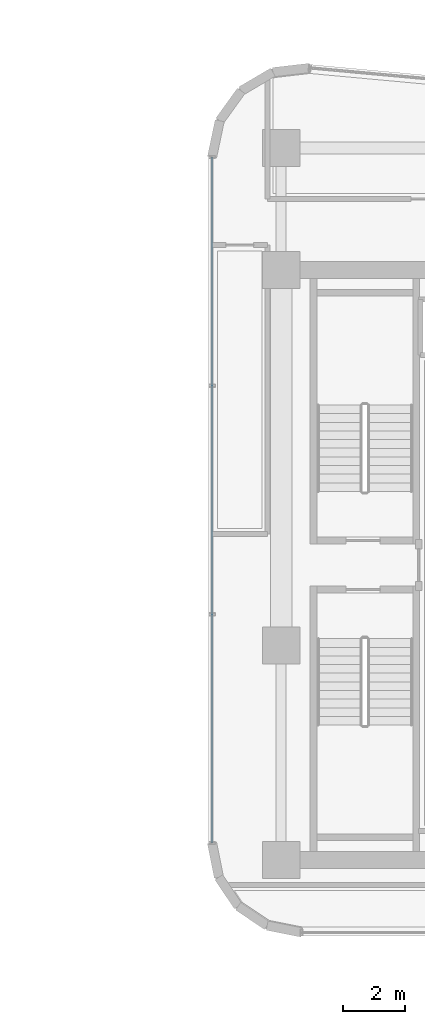
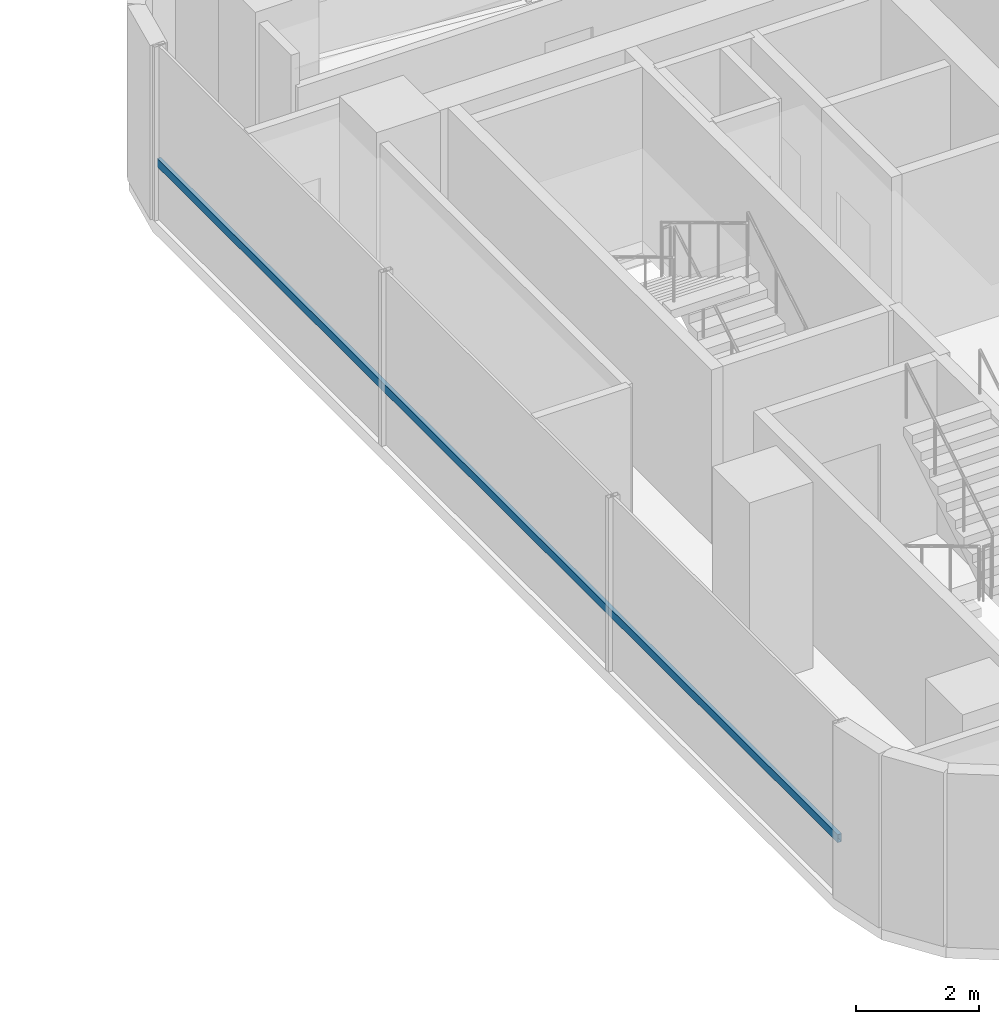
# One storey, part 15 of 34: 1 member, 1 element without a shape of its own.
"""IFC4 building model written with IfcOpenShell, lengths in metres."""

from ifc_helpers import new_model, si_unit, direction, frame, origin, origin_2d, place, context, subcontext, project, spatial, hollow_rectangle, extrude, source, transform, mapped, material, material_profile, profile_set, type_object, element, aggregate, save


model = new_model("IFC4")

# Units and contexts
model_context = context("Model", 3, precision=1e-05, world=origin(), true_north=direction((0.0, 1.0)))
body_context = subcontext(model_context, "Body", "Model", "MODEL_VIEW")
ifc_project = project(units=[si_unit("LENGTHUNIT", "METRE"), si_unit("AREAUNIT", "SQUARE_METRE"), si_unit("VOLUMEUNIT", "CUBIC_METRE"), si_unit("PLANEANGLEUNIT", "RADIAN"), si_unit("MASSUNIT", "GRAM", prefix="KILO")], contexts=[model_context])

# Site, building, storey
site_placement = place(None, origin())
site = spatial("IfcSite", under=ifc_project, at=site_placement, CompositionType="ELEMENT")
building_placement = place(site_placement, origin())
building = spatial("IfcBuilding", under=site, at=building_placement, Name="Valdorenza Pilgrim Sanctuary Tower", CompositionType="ELEMENT")
storey_placement = place(building_placement, frame((0.0, 0.0, 161.199951171875)))
storey = spatial("IfcBuildingStorey", under=building, at=storey_placement, Name="L41", CompositionType="ELEMENT", Elevation=161.199951171875)

# Curtain wall, member
ifc_material_1 = material(Name="Curtain-wall IGU glazing", Category="glass")
curtain_wall_type = type_object("IfcCurtainWallType", Name="CW-SYS-03", PredefinedType="NOTDEFINED", material=ifc_material_1)
curtain_wall_placement = place(storey_placement, origin())
curtain_wall = element("IfcCurtainWall", 1, at=curtain_wall_placement, inside=storey, type_object=curtain_wall_type, Name="L41 Curtain Wall CW-L41-2-1", PredefinedType="NOTDEFINED")
ifc_material_2 = material(Name="Anodised aluminium AW-6060", Category="aluminium")
ifc_material_profile = material_profile(ifc_material_2, hollow_rectangle(XDim=0.074951171875, YDim=0.159912109375, WallThickness=0.00390625, at=origin_2d()), Name="ALU-T 160x75x4")
ifc_profile_set = profile_set([ifc_material_profile], Name="Anodised aluminium AW-6060")
member_type = type_object("IfcMemberType", Name="CW-TRN-03", PredefinedType="USERDEFINED", material=ifc_profile_set)
shared_shape = source(origin(), body_context, "Body", "SweptSolid", [
    extrude(hollow_rectangle(XDim=0.074951171875, YDim=0.159912109375, WallThickness=0.00390625, at=origin_2d()), origin(), (0.0, 0.0, 1.0), 22.18896484375),
])
member_placement = place(storey_placement, frame((13.610107421875, -8.9892578125, 1.1201171875), z_axis=(0.0, 1.0, 0.0), x_axis=(-1.0, 0.0, 0.0)))
member = element("IfcMember", 2, at=member_placement, type_object=member_type, Name="CW-L41-2-1 Transom 1", ObjectType="TRANSOM", PredefinedType="USERDEFINED", context=body_context, shape_type="MappedRepresentation", body=[
    mapped(shared_shape, transform((0.0, 0.0, 0.0), x_axis=(1.0, 0.0, 0.0), y_axis=(0.0, 1.0, 0.0), z_axis=(0.0, 0.0, 1.0), scale=1.0)),
])
aggregate(curtain_wall, [member])

save(model, "model.ifc")
